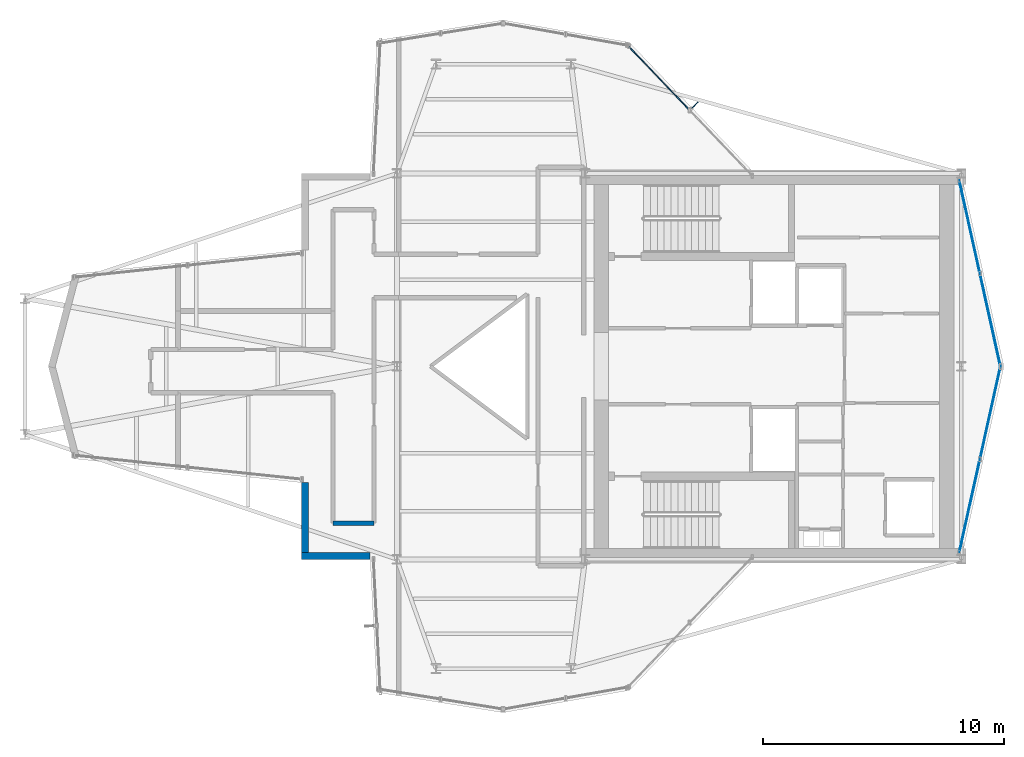
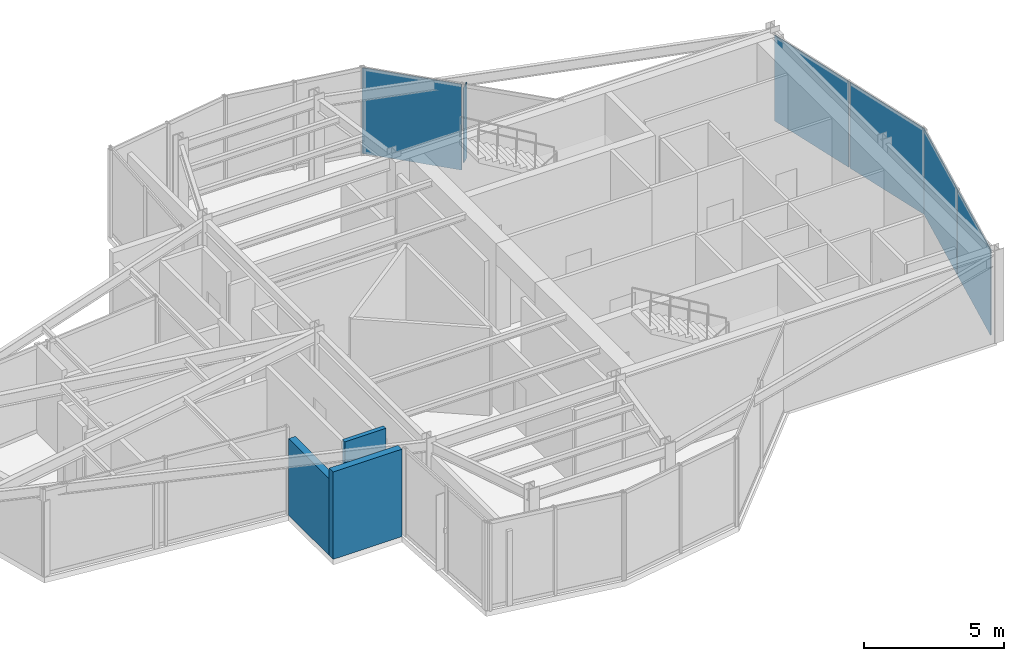
# One storey, part 10 of 13: 6 plates, 3 walls, 3 elements without a shape of their own.
"""IFC4 building model written with IfcOpenShell, lengths in metres."""

import ifcopenshell
import ifcopenshell.guid

model = None  # the IFC model being written
_history = None  # IfcOwnerHistory: only IFC2X3 demands one
_inside = {}  # id of a spatial element -> (the spatial element, [elements in it])
_under = {}  # id of a project, library or spatial element -> (it, [spatial elements below it])
_declared = {}  # id of a project -> (the project, [libraries it declares])
_typed = {}  # id of a type object -> (the type object, [elements of that type])
_made_of = {}  # id of a material, layer set ... -> (it, [elements and type objects made of it])


def new_model(schema):
    """Start an empty IFC model of exactly this schema.

    Asked for "IFC4X3", IfcOpenShell would pick the latest addendum, in which some entities
    have other attributes; the version numbers below select the first issue.
    IFC2X3 requires an IfcOwnerHistory on every rooted entity: one is made here for all.
    """
    global model, _history
    if schema == "IFC4X3":
        model = ifcopenshell.file(schema_version=(4, 3, 0, 0))
    else:
        model = ifcopenshell.file(schema=schema)
    _inside.clear()
    _under.clear()
    _declared.clear()
    _typed.clear()
    _made_of.clear()
    _history = None
    if model.schema == "IFC2X3":
        org = make("IfcOrganization", Name="unknown")
        user = make(
            "IfcPersonAndOrganization",
            ThePerson=make("IfcPerson", FamilyName="unknown"),
            TheOrganization=org,
        )
        app = make(
            "IfcApplication",
            ApplicationDeveloper=org,
            Version="unknown",
            ApplicationFullName="unknown",
            ApplicationIdentifier="unknown",
        )
        _history = make(
            "IfcOwnerHistory",
            OwningUser=user,
            OwningApplication=app,
            ChangeAction="ADDED",
            CreationDate=0,
        )
    return model


def make(cls, **values):
    """One entity of the class cls with the attributes given. An attribute that is None is left unset."""
    return model.create_entity(
        cls, **{name: value for name, value in values.items() if value is not None}
    )


def rooted(cls, **values):
    """An entity with a GlobalId (a new one), such as an element, a storey or a relation."""
    return make(cls, GlobalId=ifcopenshell.guid.new(), OwnerHistory=_history, **values)


def si_unit(unit_type, name, prefix=None):
    """IfcSIUnit, for example si_unit("LENGTHUNIT", "METRE", prefix="MILLI")."""
    return make("IfcSIUnit", UnitType=unit_type, Prefix=prefix, Name=name)


def assignment(units):
    """IfcUnitAssignment: the units of a project."""
    return None if units is None else make("IfcUnitAssignment", Units=units)


def point(xyz):
    """IfcCartesianPoint."""
    return None if xyz is None else make("IfcCartesianPoint", Coordinates=xyz)


def direction(xyz):
    """IfcDirection."""
    return None if xyz is None else make("IfcDirection", DirectionRatios=xyz)


def frame(location, z_axis=None, x_axis=None):
    """IfcAxis2Placement3D, a coordinate frame: its origin and axes. An axis left out is left unset."""
    return make(
        "IfcAxis2Placement3D",
        Location=point(location),
        Axis=direction(z_axis),
        RefDirection=direction(x_axis),
    )


def frame_2d(location, x_axis=None):
    """IfcAxis2Placement2D, a coordinate frame in the plane: its origin and x axis."""
    return make(
        "IfcAxis2Placement2D", Location=point(location), RefDirection=direction(x_axis)
    )


def origin():
    """The frame at (0, 0, 0) with its axes left unset."""
    return frame((0.0, 0.0, 0.0))


def origin_2d():
    """The frame at (0, 0) in the plane with its x axis left unset."""
    return frame_2d((0.0, 0.0))


def place(relative_to, where):
    """IfcLocalPlacement: puts the frame where relative to a parent placement (None: the world)."""
    return make(
        "IfcLocalPlacement", PlacementRelTo=relative_to, RelativePlacement=where
    )


def context(
    kind, dimensions, precision=None, world=None, true_north=None, identifier=None
):
    """IfcGeometricRepresentationContext, for example the 3D "Model" context."""
    return make(
        "IfcGeometricRepresentationContext",
        ContextIdentifier=identifier,
        ContextType=kind,
        CoordinateSpaceDimension=dimensions,
        Precision=precision,
        WorldCoordinateSystem=world,
        TrueNorth=true_north,
    )


def subcontext(parent, identifier, kind, view, scale=None):
    """IfcGeometricRepresentationSubContext, for example "Body" below "Model"."""
    return make(
        "IfcGeometricRepresentationSubContext",
        ContextIdentifier=identifier,
        ContextType=kind,
        ParentContext=parent,
        TargetScale=scale,
        TargetView=view,
    )


def project(units=None, contexts=None):
    """IfcProject with its units and contexts."""
    return rooted(
        "IfcProject",
        Name="project",
        RepresentationContexts=contexts,
        UnitsInContext=assignment(units),
    )


def spatial(cls, under=None, at=None, **own):
    """A site, building, storey or space (cls), placed at a placement, below another one or the project."""
    s = rooted(cls, ObjectPlacement=at, **own)
    if under is not None:
        _under.setdefault(under.id(), (under, []))[1].append(s)
    return s


def profile(cls, at=None, kind="AREA", **sizes):
    """A parametric profile (cls). Its sizes go by their IFC names, for example OverallWidth=200.0."""
    return make(cls, ProfileType=kind, Position=at, **sizes)


def rectangle(**sizes):
    """IfcRectangleProfileDef."""
    return profile("IfcRectangleProfileDef", **sizes)


def extrude(swept, where, along, depth):
    """IfcExtrudedAreaSolid: the profile swept, set in the frame where, extruded along a direction by depth."""
    return make(
        "IfcExtrudedAreaSolid",
        SweptArea=swept,
        Position=where,
        ExtrudedDirection=direction(along),
        Depth=depth,
    )


def shape(context_of_items, identifier, shape_type, items):
    """IfcShapeRepresentation: the items that make up one representation, for example the "Body"."""
    return make(
        "IfcShapeRepresentation",
        ContextOfItems=context_of_items,
        RepresentationIdentifier=identifier,
        RepresentationType=shape_type,
        Items=items,
    )


def material(Name=None, Category=None):
    """IfcMaterial."""
    return make("IfcMaterial", Name=Name, Category=Category)


def layer(
    of_material, thickness, ventilated=None, Name=None, Category=None, Priority=None
):
    """IfcMaterialLayer: one layer of a wall or slab, of a material (None: an air gap)."""
    return make(
        "IfcMaterialLayer",
        Material=of_material,
        LayerThickness=thickness,
        IsVentilated=ventilated,
        Name=Name,
        Category=Category,
        Priority=Priority,
    )


def layer_set(layers, Name=None):
    """IfcMaterialLayerSet."""
    return make("IfcMaterialLayerSet", MaterialLayers=layers, LayerSetName=Name)


def made_of(thing, what):
    """Note that an element or type object is made of a material, layer set ...; save() writes the relation."""
    if what is not None:
        _made_of.setdefault(what.id(), (what, []))[1].append(thing)
    return thing


def type_object(cls, material=None, **own):
    """A type object (cls), such as IfcWallType, which elements share."""
    return made_of(rooted(cls, **own), material)


def element(
    cls,
    number,
    at=None,
    inside=None,
    cuts=None,
    type_object=None,
    material=None,
    context=None,
    identifier="Body",
    shape_type=None,
    held_by="IfcProductDefinitionShape",
    body=None,
    shapes=None,
    **own,
):
    """One element of the class cls, such as IfcWall. Its Tag is "e" and its number.

    at: its placement. inside: the storey or other place that contains it. cuts: it is an
    opening in that element (IfcRelVoidsElement). A single representation is given by context,
    identifier, shape_type and body (its items); several are given by shapes. held_by: the class
    of the entity that holds the representations. save() writes the other relations.
    """
    e = rooted(cls, Tag="e%d" % number, ObjectPlacement=at, **own)
    if body is not None:
        shapes = [shape(context, identifier, shape_type, body)]
    if shapes is not None:
        e.Representation = make(held_by, Representations=shapes)
    if inside is not None:
        _inside.setdefault(inside.id(), (inside, []))[1].append(e)
    if cuts is not None:
        rooted(
            "IfcRelVoidsElement", RelatingBuildingElement=cuts, RelatedOpeningElement=e
        )
    if type_object is not None:
        _typed.setdefault(type_object.id(), (type_object, []))[1].append(e)
    return made_of(e, material)


def aggregate(whole, parts):
    """IfcRelAggregates: a whole, such as a stair, and the parts it consists of."""
    return rooted("IfcRelAggregates", RelatingObject=whole, RelatedObjects=parts)


def save(model, path):
    """Write the relations noted so far, then the file.

    IfcRelAggregates (storeys below a building ...), IfcRelContainedInSpatialStructure (elements
    in a storey), IfcRelDefinesByType, IfcRelAssociatesMaterial and IfcRelDeclares: one each for
    every whole, place, type object, material and project.
    """
    for whole, parts in _under.values():
        aggregate(whole, parts)
    for where, things in _inside.values():
        rooted(
            "IfcRelContainedInSpatialStructure",
            RelatedElements=things,
            RelatingStructure=where,
        )
    for kind, things in _typed.values():
        rooted("IfcRelDefinesByType", RelatedObjects=things, RelatingType=kind)
    for what, things in _made_of.values():
        rooted("IfcRelAssociatesMaterial", RelatedObjects=things, RelatingMaterial=what)
    for by, libraries in _declared.values():
        rooted("IfcRelDeclares", RelatingContext=by, RelatedDefinitions=libraries)
    model.write(path)


model = new_model("IFC4")

# Units and contexts
model_context = context("Model", 3, precision=1e-05, world=origin(), true_north=direction((0.0, 1.0)))
body_context = subcontext(model_context, "Body", "Model", "MODEL_VIEW")
ifc_project = project(units=[si_unit("LENGTHUNIT", "METRE"), si_unit("AREAUNIT", "SQUARE_METRE"), si_unit("VOLUMEUNIT", "CUBIC_METRE"), si_unit("PLANEANGLEUNIT", "RADIAN"), si_unit("MASSUNIT", "GRAM", prefix="KILO")], contexts=[model_context])

# Site, building, storey
site_placement = place(None, origin())
site = spatial("IfcSite", under=ifc_project, at=site_placement, CompositionType="ELEMENT")
building_placement = place(site_placement, origin())
building = spatial("IfcBuilding", under=site, at=building_placement, Name="Veymaron Broadcast Tower", CompositionType="ELEMENT")
storey_placement = place(building_placement, frame((0.0, 0.0, 291.14990234375)))
storey = spatial("IfcBuildingStorey", under=building, at=storey_placement, Name="L68", CompositionType="ELEMENT", Elevation=291.14990234375)

# Curtain wall, plates
ifc_material_1 = material(Name="Anodised aluminium AA 6063-T6 and laminated low-E dark glass", Category="aluminium")
ifc_layer_1 = layer(ifc_material_1, 0.179931640625)
ifc_layer_set_1 = layer_set([ifc_layer_1], Name="Anodised aluminium AA 6063-T6 and laminated low-E dark glass")
curtain_wall_type = type_object("IfcCurtainWallType", Name="CW-SYS-06", PredefinedType="NOTDEFINED", material=ifc_layer_set_1)
curtain_wall_1_placement = place(storey_placement, origin())
curtain_wall_1 = element("IfcCurtainWall", 1, at=curtain_wall_1_placement, inside=storey, type_object=curtain_wall_type, Name="L68 dark-glass curtain wall CW-L68-E2-1", PredefinedType="NOTDEFINED")
ifc_material_2 = material(Name="Insulated dark-anodised aluminium spandrel panel 40 mm", Category="aluminium")
ifc_layer_2 = layer(ifc_material_2, 0.0400390625)
ifc_layer_set_2 = layer_set([ifc_layer_2], Name="Insulated dark-anodised aluminium spandrel panel 40 mm")
plate_type_1 = type_object("IfcPlateType", Name="CW-PNL-03", PredefinedType="CURTAIN_PANEL", material=ifc_layer_set_2)
plate_1_placement = place(storey_placement, frame((54.945068359375, 18.20458984375, 0.0400390625), z_axis=(0.0, 0.0, 1.0), x_axis=(0.21630329519, 0.976326218274, 0.0)))
plate_1 = element("IfcPlate", 2, at=plate_1_placement, type_object=plate_type_1, Name="CW-L68-E2-1 unitised curtain panel 0", PredefinedType="CURTAIN_PANEL", context=body_context, shape_type="SweptSolid", body=[
    extrude(rectangle(XDim=3.91796875, YDim=0.0400390625, at=origin_2d()), origin(), (0.0, 0.0, 1.0), 3.72998046875),
])
plate_2_placement = place(storey_placement, frame((55.805419921875, 22.08837890625, 0.0400390625), z_axis=(0.0, 0.0, 1.0), x_axis=(0.21630329519, 0.976326218274, 0.0)))
plate_2 = element("IfcPlate", 3, at=plate_2_placement, type_object=plate_type_1, Name="CW-L68-E2-1 unitised curtain panel 1", PredefinedType="CURTAIN_PANEL", context=body_context, shape_type="SweptSolid", body=[
    extrude(rectangle(XDim=3.91796875, YDim=0.0400390625, at=origin_2d()), origin(), (0.0, 0.0, 1.0), 3.72998046875),
])
aggregate(curtain_wall_1, [plate_1, plate_2])

curtain_wall_2_placement = place(storey_placement, origin())
curtain_wall_2 = element("IfcCurtainWall", 4, at=curtain_wall_2_placement, inside=storey, type_object=curtain_wall_type, Name="L68 dark-glass curtain wall CW-L68-E3-1", PredefinedType="NOTDEFINED")
plate_3_placement = place(storey_placement, frame((55.805419921875, 25.91162109375, 0.0400390625), z_axis=(0.0, 0.0, 1.0), x_axis=(-0.21630329519, 0.976326218274, 0.0)))
plate_3 = element("IfcPlate", 5, at=plate_3_placement, type_object=plate_type_1, Name="CW-L68-E3-1 unitised curtain panel 0", PredefinedType="CURTAIN_PANEL", context=body_context, shape_type="SweptSolid", body=[
    extrude(rectangle(XDim=3.91796875, YDim=0.0400390625, at=origin_2d()), origin(), (0.0, 0.0, 1.0), 3.72998046875),
])
plate_4_placement = place(storey_placement, frame((54.945068359375, 29.79541015625, 0.0400390625), z_axis=(0.0, 0.0, 1.0), x_axis=(-0.21630329519, 0.976326218274, 0.0)))
plate_4 = element("IfcPlate", 6, at=plate_4_placement, type_object=plate_type_1, Name="CW-L68-E3-1 unitised curtain panel 1", PredefinedType="CURTAIN_PANEL", context=body_context, shape_type="SweptSolid", body=[
    extrude(rectangle(XDim=3.91796875, YDim=0.0400390625, at=origin_2d()), origin(), (0.0, 0.0, 1.0), 3.72998046875),
])
aggregate(curtain_wall_2, [plate_3, plate_4])

# Curtain wall, plate
curtain_wall_3_placement = place(storey_placement, origin())
curtain_wall_3 = element("IfcCurtainWall", 7, at=curtain_wall_3_placement, inside=storey, type_object=curtain_wall_type, Name="L68 dark-glass curtain wall CW-L68-E5-1", PredefinedType="NOTDEFINED")
plate_5_placement = place(storey_placement, frame((42.04052734375, 35.977783203125, 0.0400390625), z_axis=(0.0, 0.0, 1.0), x_axis=(-0.690869792815, 0.722979203972, 0.0)))
plate_5 = element("IfcPlate", 8, at=plate_5_placement, type_object=plate_type_1, Name="CW-L68-E5-1 unitised curtain panel 1", PredefinedType="CURTAIN_PANEL", context=body_context, shape_type="SweptSolid", body=[
    extrude(rectangle(XDim=3.697265625, YDim=0.0400390625, at=origin_2d()), origin(), (0.0, 0.0, 1.0), 3.72998046875),
])
aggregate(curtain_wall_3, [plate_5])

# Plate
ifc_material_3 = material(Name="Dark-anodised aluminium AA 6061-T6", Category="aluminium")
ifc_layer_3 = layer(ifc_material_3, 0.030029296875)
ifc_layer_set_3 = layer_set([ifc_layer_3], Name="Dark-anodised aluminium AA 6061-T6")
plate_type_2 = type_object("IfcPlateType", Name="FIN-CHEV-02", PredefinedType="USERDEFINED", material=ifc_layer_set_3)
plate_6_placement = place(storey_placement, frame((43.55908203125, 34.830322265625, 0.2666015625), z_axis=(0.0, 0.0, 1.0), x_axis=(0.722979203972, 0.690869792815, 0.0)))
element("IfcPlate", 9, at=plate_6_placement, inside=storey, type_object=plate_type_2, Name="CW-L68-E5-1 chevron fin 1", ObjectType="FIN", PredefinedType="USERDEFINED", context=body_context, shape_type="SweptSolid", body=[
    extrude(rectangle(XDim=0.35009765625, YDim=0.034912109375, at=origin_2d()), origin(), (0.0, 0.0, 1.0), 3.276611328125),
])

# Walls
ifc_material_4 = material(Name="Precast concrete C40/50", Category="concrete")
ifc_layer_4 = layer(ifc_material_4, 0.280029296875)
ifc_layer_set_4 = layer_set([ifc_layer_4], Name="Precast concrete C40/50")
wall_type_1 = type_object("IfcWallType", Name="WALL-EXT-280", PredefinedType="STANDARD", material=ifc_layer_set_4)
wall_1_placement = place(storey_placement, frame((27.3896484375, 19.177001953125, 0.0), z_axis=(0.0, 0.0, 1.0), x_axis=(0.0, -1.0, 0.0)))
element("IfcWall", 10, at=wall_1_placement, inside=storey, type_object=wall_type_1, Name="L68 notched corner facade pier 15-1", PredefinedType="STANDARD", context=body_context, shape_type="SweptSolid", body=[
    extrude(rectangle(XDim=3.177001953125, YDim=0.280029296875, at=frame_2d((1.58837890625, 0.0))), origin(), (0.0, 0.0, 1.0), 3.339111328125),
])
wall_2_placement = place(storey_placement, frame((27.24951171875, 16.139892578125, 0.0), z_axis=(0.0, 0.0, 1.0), x_axis=(1.0, 0.0, 0.0)))
element("IfcWall", 11, at=wall_2_placement, inside=storey, type_object=wall_type_1, Name="L68 notched corner facade pier 16-1", PredefinedType="STANDARD", context=body_context, shape_type="SweptSolid", body=[
    extrude(rectangle(XDim=2.84130859375, YDim=0.280029296875, at=frame_2d((1.420654296875, 0.0))), origin(), (0.0, 0.0, 1.0), 3.81005859375),
])
ifc_material_5 = material(Name="Concrete C40/50", Category="concrete")
ifc_layer_5 = layer(ifc_material_5, 0.179931640625)
ifc_layer_set_5 = layer_set([ifc_layer_5], Name="Concrete C40/50")
wall_type_2 = type_object("IfcWallType", Name="WALL-FIRE-180", PredefinedType="SOLIDWALL", material=ifc_layer_set_5)
wall_3_placement = place(storey_placement, frame((28.550048828125, 17.5, 0.0), z_axis=(0.0, 0.0, 1.0), x_axis=(1.0, 0.0, 0.0)))
element("IfcWall", 12, at=wall_3_placement, inside=storey, type_object=wall_type_2, Name="L68 partition IW-L68-P08", PredefinedType="SOLIDWALL", context=body_context, shape_type="SweptSolid", body=[
    extrude(rectangle(XDim=1.699951171875, YDim=0.179931640625, at=frame_2d((0.85009765625, 0.0))), origin(), (0.0, 0.0, 1.0), 3.81005859375),
])

save(model, "model.ifc")
